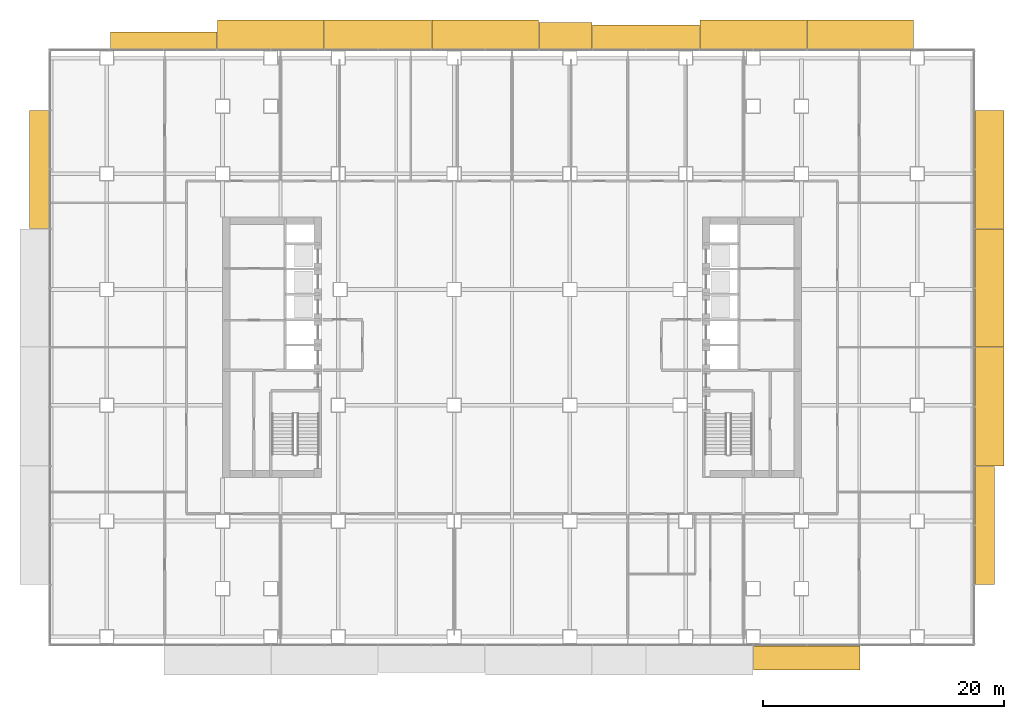
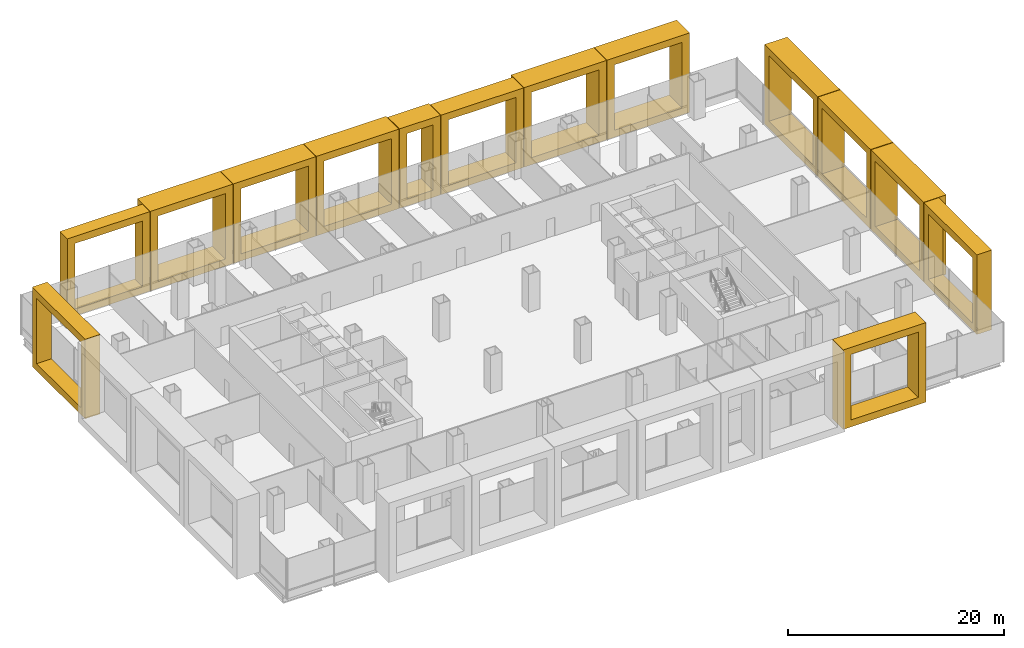
# One storey, part 22 of 23: 14 coverings.
"""IFC4 building model written with IfcOpenShell, lengths in metres."""

from ifc_helpers import new_model, si_unit, direction, frame, origin, place, context, subcontext, project, spatial, polyline, outline, extrude, material, type_object, element, save


model = new_model("IFC4")

# Units and contexts
model_context = context("Model", 3, precision=1e-05, world=origin(), true_north=direction((0.0, 1.0)))
body_context = subcontext(model_context, "Body", "Model", "MODEL_VIEW")
ifc_project = project(units=[si_unit("LENGTHUNIT", "METRE"), si_unit("AREAUNIT", "SQUARE_METRE"), si_unit("VOLUMEUNIT", "CUBIC_METRE"), si_unit("PLANEANGLEUNIT", "RADIAN"), si_unit("MASSUNIT", "GRAM", prefix="KILO")], contexts=[model_context])

# Site, building, storey
site_placement = place(None, origin())
site = spatial("IfcSite", under=ifc_project, at=site_placement, CompositionType="ELEMENT")
building_placement = place(site_placement, origin())
building = spatial("IfcBuilding", under=site, at=building_placement, Name="Cobrizo Arcos Hotel Tower", CompositionType="ELEMENT")
storey_placement = place(building_placement, frame((0.0, 0.0, 15.5)))
storey = spatial("IfcBuildingStorey", under=building, at=storey_placement, Name="L02", CompositionType="ELEMENT", Elevation=15.5)

# Coverings
ifc_material = material(Name="Aluminium 6063-T6 anodised bronze", Category="aluminium")
covering_type_1 = type_object("IfcCoveringType", Name="FIN-F 1400", PredefinedType="CLADDING", material=ifc_material)
covering_1_placement = place(storey_placement, frame((-24.469482421875, 24.75, 0.0), z_axis=(0.0, 1.0, 0.0), x_axis=(-1.0, 0.0, 0.0)))
element("IfcCovering", 1, at=covering_1_placement, inside=storey, type_object=covering_type_1, Name="Fin frame 467", PredefinedType="CLADDING", context=body_context, shape_type="SweptSolid", body=[
    extrude(outline(polyline([(0.0, 9.0), (0.0, 0.0), (8.8388671875, 0.0), (8.8388671875, 9.0), (0.0, 9.0)]), holes=[polyline([(8.038818359375, 0.800048828125), (0.800048828125, 0.800048828125), (0.800048828125, 8.199951171875), (8.038818359375, 8.199951171875), (8.038818359375, 0.800048828125)])]), origin(), (0.0, 0.0, 1.0), 1.39990234375),
])
covering_type_2 = type_object("IfcCoveringType", Name="FIN-F 1600", PredefinedType="CLADDING", material=ifc_material)
for number, where, z_axis, x_axis, name in (
    (2, (38.39990234375, -19.655029296875, 0.0), (1.0, 0.0, 0.0), (0.0, 1.0, 0.0), "Fin frame 476"),
    (3, (-38.39990234375, 19.655029296875, 0.0), (-1.0, 0.0, 0.0), (0.0, -1.0, 0.0), "Fin frame 505"),
):
    element("IfcCovering", number, at=place(storey_placement, frame(where, z_axis=z_axis, x_axis=x_axis)), inside=storey, type_object=covering_type_2, Name=name, PredefinedType="CLADDING", context=body_context, shape_type="SweptSolid", body=[
        extrude(outline(polyline([(0.0, 9.0), (0.0, 0.0), (9.7900390625, 0.0), (9.7900390625, 9.0), (0.0, 9.0)]), holes=[polyline([(8.989990234375, 0.800048828125), (0.800048828125, 0.800048828125), (0.800048828125, 8.199951171875), (8.989990234375, 8.199951171875), (8.989990234375, 0.800048828125)])]), origin(), (0.0, 0.0, 1.0), 1.60009765625),
    ])
covering_type_3 = type_object("IfcCoveringType", Name="FIN-F 2000", PredefinedType="CLADDING", material=ifc_material)
for number, where, z_axis, x_axis, name in (
    (4, (15.530517578125, 24.75, 0.0), (0.0, 1.0, 0.0), (-1.0, 0.0, 0.0), "Fin frame 462"),
    (5, (20.02490234375, -24.75, 0.0), (0.0, -1.0, 0.0), (1.0, 0.0, 0.0), "Fin frame 497"),
):
    element("IfcCovering", number, at=place(storey_placement, frame(where, z_axis=z_axis, x_axis=x_axis)), inside=storey, type_object=covering_type_3, Name=name, PredefinedType="CLADDING", context=body_context, shape_type="SweptSolid", body=[
        extrude(outline(polyline([(0.0, 9.0), (0.0, 0.0), (8.8388671875, 0.0), (8.8388671875, 9.0), (0.0, 9.0)]), holes=[polyline([(8.038818359375, 0.800048828125), (0.800048828125, 0.800048828125), (0.800048828125, 8.199951171875), (8.038818359375, 8.199951171875), (8.038818359375, 0.800048828125)])]), origin(), (0.0, 0.0, 1.0), 2.0),
    ])
covering_type_4 = type_object("IfcCoveringType", Name="FIN-F 2200", PredefinedType="CLADDING", material=ifc_material)
covering_2_placement = place(storey_placement, frame((6.6416015625, 24.75, 0.0), z_axis=(0.0, 1.0, 0.0), x_axis=(-1.0, 0.0, 0.0)))
element("IfcCovering", 6, at=covering_2_placement, inside=storey, type_object=covering_type_4, Name="Fin frame 463", PredefinedType="CLADDING", context=body_context, shape_type="SweptSolid", body=[
    extrude(outline(polyline([(0.0, 9.0), (0.0, 0.0), (4.394287109375, 0.0), (4.394287109375, 9.0), (0.0, 9.0)]), holes=[polyline([(3.594482421875, 0.800048828125), (0.800048828125, 0.800048828125), (0.800048828125, 8.199951171875), (3.594482421875, 8.199951171875), (3.594482421875, 0.800048828125)])]), origin(), (0.0, 0.0, 1.0), 2.199951171875),
])
covering_type_5 = type_object("IfcCoveringType", Name="FIN-F 2400", PredefinedType="CLADDING", material=ifc_material)
for number, where, z_axis, x_axis, name in (
    (7, (33.308349609375, 24.75, 0.0), (0.0, 1.0, 0.0), (-1.0, 0.0, 0.0), "Fin frame 460"),
    (8, (24.41943359375, 24.75, 0.0), (0.0, 1.0, 0.0), (-1.0, 0.0, 0.0), "Fin frame 461"),
    (9, (2.197265625, 24.75, 0.0), (0.0, 1.0, 0.0), (-1.0, 0.0, 0.0), "Fin frame 464"),
    (10, (-6.691650390625, 24.75, 0.0), (0.0, 1.0, 0.0), (-1.0, 0.0, 0.0), "Fin frame 465"),
    (11, (-15.58056640625, 24.75, 0.0), (0.0, 1.0, 0.0), (-1.0, 0.0, 0.0), "Fin frame 466"),
):
    element("IfcCovering", number, at=place(storey_placement, frame(where, z_axis=z_axis, x_axis=x_axis)), inside=storey, type_object=covering_type_5, Name=name, PredefinedType="CLADDING", context=body_context, shape_type="SweptSolid", body=[
        extrude(outline(polyline([(0.0, 9.0), (0.0, 0.0), (8.8388671875, 0.0), (8.8388671875, 9.0), (0.0, 9.0)]), holes=[polyline([(8.038818359375, 0.800048828125), (0.800048828125, 0.800048828125), (0.800048828125, 8.199951171875), (8.038818359375, 8.199951171875), (8.038818359375, 0.800048828125)])]), origin(), (0.0, 0.0, 1.0), 2.39990234375),
    ])
for number, where, z_axis, x_axis, name in (
    (12, (38.39990234375, -9.81494140625, 0.0), (1.0, 0.0, 0.0), (0.0, 1.0, 0.0), "Fin frame 477"),
    (13, (38.39990234375, 0.02490234375, 0.0), (1.0, 0.0, 0.0), (0.0, 1.0, 0.0), "Fin frame 478"),
    (14, (38.39990234375, 9.864990234375, 0.0), (1.0, 0.0, 0.0), (0.0, 1.0, 0.0), "Fin frame 479"),
):
    element("IfcCovering", number, at=place(storey_placement, frame(where, z_axis=z_axis, x_axis=x_axis)), inside=storey, type_object=covering_type_5, Name=name, PredefinedType="CLADDING", context=body_context, shape_type="SweptSolid", body=[
        extrude(outline(polyline([(0.0, 9.0), (0.0, 0.0), (9.7900390625, 0.0), (9.7900390625, 9.0), (0.0, 9.0)]), holes=[polyline([(8.989990234375, 0.800048828125), (0.800048828125, 0.800048828125), (0.800048828125, 8.199951171875), (8.989990234375, 8.199951171875), (8.989990234375, 0.800048828125)])]), origin(), (0.0, 0.0, 1.0), 2.400146484375),
    ])

save(model, "model.ifc")
